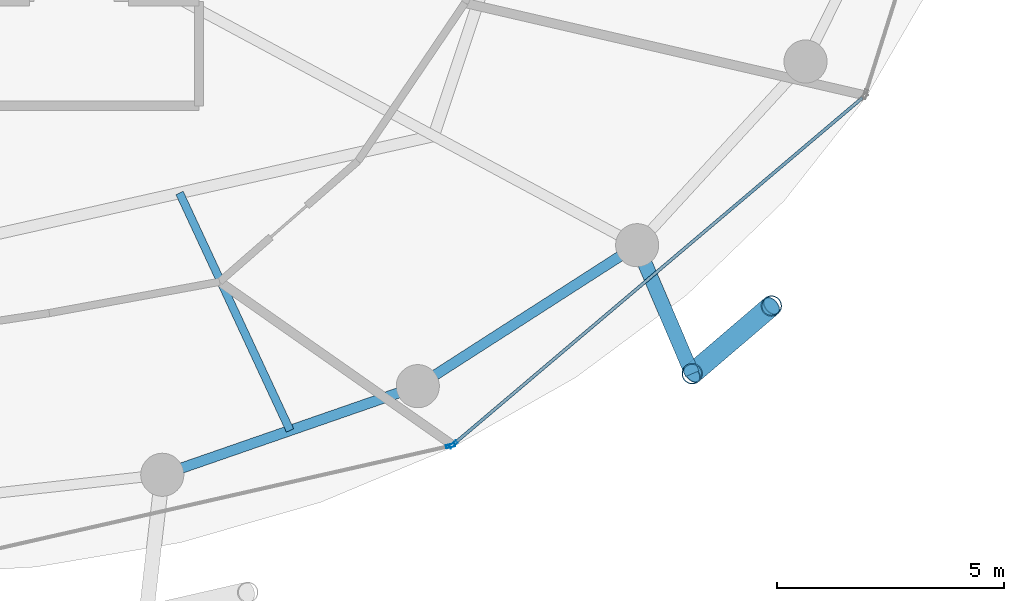
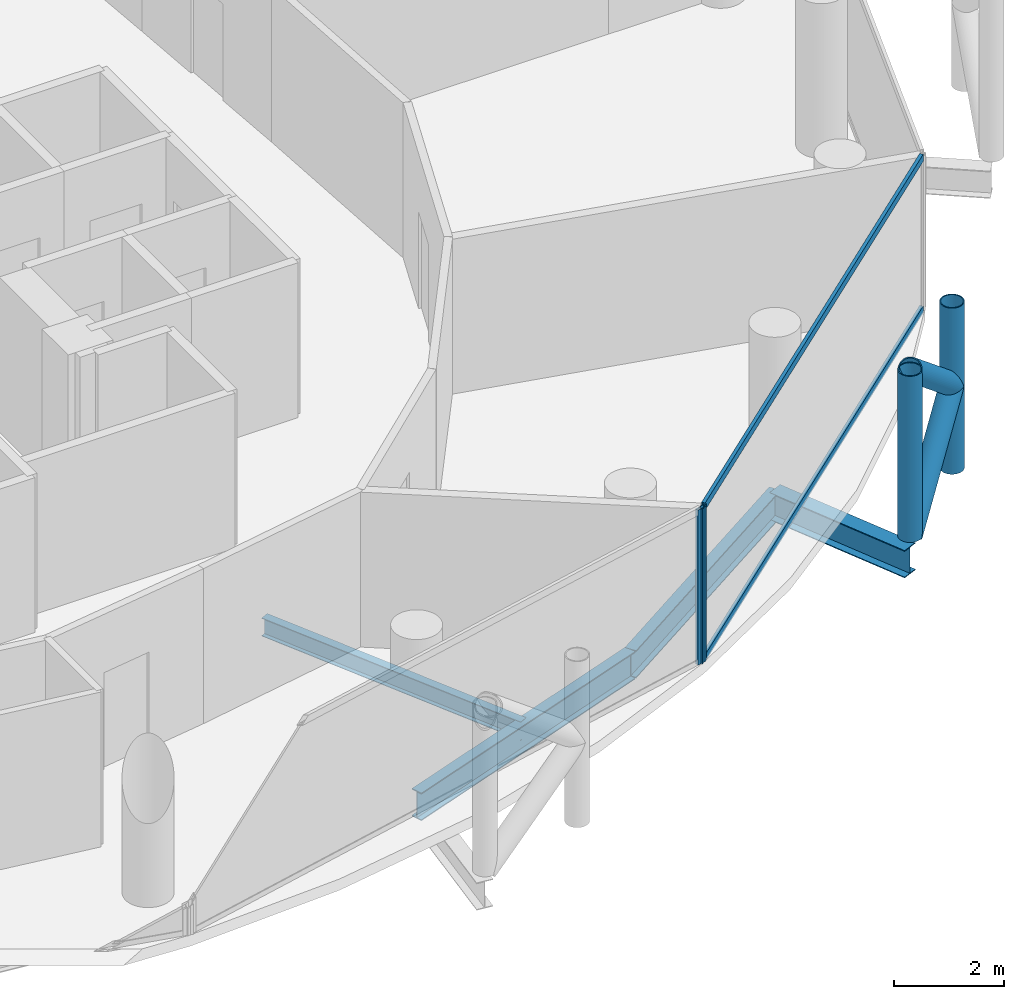
# One storey, part 8 of 27: 8 members, 4 beams, 2 elements without a shape of their own.
"""IFC4 building model written with IfcOpenShell, lengths in metres."""

from ifc_helpers import new_model, si_unit, direction, frame, origin, origin_2d, place, context, subcontext, project, spatial, hollow_rectangle, hollow_circle, i_section, extrude, material, layer, layer_set, material_profile, profile_set, type_object, element, aggregate, save


model = new_model("IFC4")

# Units and contexts
model_context = context("Model", 3, precision=1e-05, world=origin(), true_north=direction((0.0, 1.0)))
body_context = subcontext(model_context, "Body", "Model", "MODEL_VIEW")
ifc_project = project(units=[si_unit("LENGTHUNIT", "METRE"), si_unit("AREAUNIT", "SQUARE_METRE"), si_unit("VOLUMEUNIT", "CUBIC_METRE"), si_unit("PLANEANGLEUNIT", "RADIAN"), si_unit("MASSUNIT", "GRAM", prefix="KILO")], contexts=[model_context])

# Site, building, storey
site_placement = place(None, origin())
site = spatial("IfcSite", under=ifc_project, at=site_placement, CompositionType="ELEMENT")
building_placement = place(site_placement, origin())
building = spatial("IfcBuilding", under=site, at=building_placement, Name="Nuhasar Tower", CompositionType="ELEMENT")
storey_placement = place(building_placement, frame((0.0, 0.0, 158.949951171875)))
storey = spatial("IfcBuildingStorey", under=building, at=storey_placement, Name="L38", CompositionType="ELEMENT", Elevation=158.949951171875)

# Beams
ifc_material_1 = material(Name="Steel S355", Category="steel")
ifc_material_profile_1 = material_profile(ifc_material_1, i_section(OverallWidth=0.177978515625, OverallDepth=0.406005859375, WebThickness=0.0078125, FlangeThickness=0.0126953125, at=origin_2d()), Name="W16X40")
ifc_profile_set_1 = profile_set([ifc_material_profile_1], Name="Steel S355")
beam_type_1 = type_object("IfcBeamType", Name="BM-JST-W16X40", PredefinedType="JOIST", material=ifc_profile_set_1)
beam_1_placement = place(storey_placement, frame((45.424072265625, 14.1279296875, -0.452880859375), z_axis=(0.421729941201, -0.906721487941, 0.0), x_axis=(0.906721487941, 0.421729941201, 0.0)))
element("IfcBeam", 1, at=beam_1_placement, inside=storey, type_object=beam_type_1, Name="L38 Secondary Floor Joist 02", PredefinedType="JOIST", context=body_context, shape_type="SweptSolid", body=[
    extrude(i_section(OverallWidth=0.177978515625, OverallDepth=0.406005859375, WebThickness=0.0078125, FlangeThickness=0.0126953125, at=origin_2d()), origin(), (0.0, 0.0, 1.0), 5.7734375),
])
ifc_material_profile_2 = material_profile(ifc_material_1, i_section(OverallWidth=0.22998046875, OverallDepth=0.616943359375, WebThickness=0.01318359375, FlangeThickness=0.022216796875, at=origin_2d()), Name="W24X94")
ifc_profile_set_2 = profile_set([ifc_material_profile_2], Name="Steel S355")
beam_type_2 = type_object("IfcBeamType", Name="BM-RING-W24X94", PredefinedType="SPANDREL", material=ifc_profile_set_2)
beam_2_placement = place(storey_placement, frame((45.04296875, 7.916015625, -0.558837890625), z_axis=(0.944814057608, 0.327607076458, 0.0), x_axis=(-0.327607076458, 0.944814057608, 0.0)))
element("IfcBeam", 2, at=beam_2_placement, inside=storey, type_object=beam_type_2, Name="L38 Perimeter Ring Spandrel 20", PredefinedType="SPANDREL", context=body_context, shape_type="SweptSolid", body=[
    extrude(i_section(OverallWidth=0.22998046875, OverallDepth=0.616943359375, WebThickness=0.01318359375, FlangeThickness=0.022216796875, at=origin_2d()), origin(), (0.0, 0.0, 1.0), 5.9609375),
])
beam_3_placement = place(storey_placement, frame((50.675048828125, 9.868896484375, -0.558837890625), z_axis=(0.841308170616, 0.540555789955, 0.0), x_axis=(-0.540555789955, 0.841308170616, 0.0)))
element("IfcBeam", 3, at=beam_3_placement, inside=storey, type_object=beam_type_2, Name="L38 Perimeter Ring Spandrel 21", PredefinedType="SPANDREL", context=body_context, shape_type="SweptSolid", body=[
    extrude(i_section(OverallWidth=0.22998046875, OverallDepth=0.616943359375, WebThickness=0.01318359375, FlangeThickness=0.022216796875, at=origin_2d()), origin(), (0.0, 0.0, 1.0), 5.748046875),
])
ifc_material_profile_3 = material_profile(ifc_material_1, i_section(OverallWidth=0.323974609375, OverallDepth=0.611083984375, WebThickness=0.0126953125, FlangeThickness=0.01904296875, at=origin_2d()), Name="W24X104")
ifc_profile_set_3 = profile_set([ifc_material_profile_3], Name="Steel S355")
beam_type_3 = type_object("IfcBeamType", Name="BM-TIE-W24X104", PredefinedType="BEAM", material=ifc_profile_set_3)
beam_4_placement = place(storey_placement, frame((55.510986328125, 12.97607421875, -0.555908203125), z_axis=(0.39330721304, -0.919407111225, 0.0), x_axis=(0.919407111225, 0.39330721304, 0.0)))
element("IfcBeam", 4, at=beam_4_placement, inside=storey, type_object=beam_type_3, Name="L38 Exoskeleton Node Tie Beam 11", PredefinedType="BEAM", context=body_context, shape_type="SweptSolid", body=[
    extrude(i_section(OverallWidth=0.323974609375, OverallDepth=0.611083984375, WebThickness=0.0126953125, FlangeThickness=0.01904296875, at=origin_2d()), origin(), (0.0, 0.0, 1.0), 3.081298828125),
])

# Curtain wall, member
ifc_material_2 = material(Name="Aluminium 6063-T6", Category="aluminium")
ifc_layer = layer(ifc_material_2, 0.199951171875)
ifc_layer_set = layer_set([ifc_layer], Name="Aluminium 6063-T6")
curtain_wall_type = type_object("IfcCurtainWallType", Name="CW-Z2-HTL", PredefinedType="NOTDEFINED", material=ifc_layer_set)
curtain_wall_1_placement = place(storey_placement, origin())
curtain_wall_1 = element("IfcCurtainWall", 5, at=curtain_wall_1_placement, inside=storey, type_object=curtain_wall_type, Name="L38 Unitised Curtain Wall 10", PredefinedType="NOTDEFINED")
ifc_material_profile_4 = material_profile(ifc_material_2, hollow_rectangle(XDim=0.070068359375, YDim=0.199951171875, WallThickness=0.0048828125, at=origin_2d()), Name="CWM-3")
ifc_profile_set_4 = profile_set([ifc_material_profile_4], Name="Aluminium 6063-T6")
member_type_1 = type_object("IfcMemberType", Name="CW-MUL-S3", PredefinedType="MULLION", material=ifc_profile_set_4)
member_1_placement = place(storey_placement, frame((51.395751953125, 8.55419921875, 0.0), z_axis=(0.0, 0.0, 1.0), x_axis=(-0.22139729566, 0.975183694221, 0.0)))
member_1 = element("IfcMember", 6, at=member_1_placement, type_object=member_type_1, Name="CW-Z2 mullion 2", PredefinedType="MULLION", context=body_context, shape_type="SweptSolid", body=[
    extrude(hollow_rectangle(XDim=0.070068359375, YDim=0.199951171875, WallThickness=0.0048828125, at=origin_2d()), origin(), (0.0, 0.0, 1.0), 3.449951171875),
])
aggregate(curtain_wall_1, [member_1])

# Curtain wall, members
curtain_wall_2_placement = place(storey_placement, origin())
curtain_wall_2 = element("IfcCurtainWall", 7, at=curtain_wall_2_placement, inside=storey, type_object=curtain_wall_type, Name="L38 Unitised Curtain Wall 11", PredefinedType="NOTDEFINED")
member_2_placement = place(storey_placement, frame((51.456787109375, 8.584716796875, 0.0), z_axis=(0.0, 0.0, 1.0), x_axis=(-0.646374438324, 0.763020370292, 0.0)))
member_2 = element("IfcMember", 8, at=member_2_placement, type_object=member_type_1, Name="CW-Z2 mullion 1", PredefinedType="MULLION", context=body_context, shape_type="SweptSolid", body=[
    extrude(hollow_rectangle(XDim=0.070068359375, YDim=0.199951171875, WallThickness=0.0048828125, at=origin_2d()), origin(), (0.0, 0.0, 1.0), 3.449951171875),
])
ifc_material_profile_5 = material_profile(ifc_material_2, hollow_rectangle(XDim=0.070068359375, YDim=0.159912109375, WallThickness=0.00439453125, at=origin_2d()), Name="CWT-3")
ifc_profile_set_5 = profile_set([ifc_material_profile_5], Name="Aluminium 6063-T6")
member_type_2 = type_object("IfcMemberType", Name="CW-TRN-S3", PredefinedType="USERDEFINED", material=ifc_profile_set_5)
member_3_placement = place(storey_placement, frame((51.4833984375, 8.607177734375, 0.03515625), z_axis=(0.763013698099, 0.646382314511, 0.0), x_axis=(-0.646382314511, 0.763013698099, 0.0)))
member_3 = element("IfcMember", 9, at=member_3_placement, type_object=member_type_2, Name="CW-Z2 transom 1.1", ObjectType="TRANSOM", PredefinedType="USERDEFINED", context=body_context, shape_type="SweptSolid", body=[
    extrude(hollow_rectangle(XDim=0.070068359375, YDim=0.159912109375, WallThickness=0.00439453125, at=origin_2d()), origin(), (0.0, 0.0, 1.0), 11.78515625),
])
member_4_placement = place(storey_placement, frame((51.4833984375, 8.607177734375, 3.4150390625), z_axis=(0.763013698099, 0.646382314511, 0.0), x_axis=(-0.646382314511, 0.763013698099, 0.0)))
member_4 = element("IfcMember", 10, at=member_4_placement, type_object=member_type_2, Name="CW-Z2 transom 1.2", ObjectType="TRANSOM", PredefinedType="USERDEFINED", context=body_context, shape_type="SweptSolid", body=[
    extrude(hollow_rectangle(XDim=0.070068359375, YDim=0.159912109375, WallThickness=0.00439453125, at=origin_2d()), origin(), (0.0, 0.0, 1.0), 11.78515625),
])
aggregate(curtain_wall_2, [member_2, member_3, member_4])

# Members
ifc_material_3 = material(Name="Steel S460", Category="steel")
ifc_material_profile_6 = material_profile(ifc_material_3, hollow_circle(Radius=0.228515625, WallThickness=0.022216796875, at=origin_2d()), Name="HSS457X22.2")
ifc_profile_set_6 = profile_set([ifc_material_profile_6], Name="Steel S460")
member_type_3 = type_object("IfcMemberType", Name="EXO-BRONZE-457", PredefinedType="BRACE", material=ifc_profile_set_6)
for number, where, z_axis, x_axis, name in (
    (11, (56.722900390625, 10.14306640625, 0.0), (0.0, 0.0, 1.0), (1.0, 0.0, 0.0), "L38 Exoskeleton Chord Column EC-11A"),
    (12, (58.470947265625, 11.637939453125, 0.0), (0.0, 0.0, 1.0), (1.0, 0.0, 0.0), "L38 Exoskeleton Chord Column EC-11B"),
):
    element("IfcMember", number, at=place(storey_placement, frame(where, z_axis=z_axis, x_axis=x_axis)), inside=storey, type_object=member_type_3, Name=name, PredefinedType="BRACE", context=body_context, shape_type="SweptSolid", body=[
        extrude(hollow_circle(Radius=0.228515625, WallThickness=0.022216796875, at=origin_2d()), origin(), (0.0, 0.0, 1.0), 3.699951171875),
    ])
member_5_placement = place(storey_placement, frame((56.722900390625, 10.14306640625, 0.0), z_axis=(0.592195175458, 0.506426125604, 0.626767463634), x_axis=(-0.649925557156, 0.7599978751, 0.0)))
element("IfcMember", 13, at=member_5_placement, inside=storey, type_object=member_type_3, Name="L38 Bronze Diagrid Brace W1-11", PredefinedType="BRACE", context=body_context, shape_type="SweptSolid", body=[
    extrude(hollow_circle(Radius=0.228515625, WallThickness=0.022216796875, at=origin_2d()), origin(), (0.0, 0.0, 1.0), 2.951904296875),
])
member_6_placement = place(storey_placement, frame((58.470947265625, 11.637939453125, 1.85009765625), z_axis=(-0.592225874743, -0.506452378638, 0.626717242029), x_axis=(0.649925557156, -0.7599978751, 0.0)))
element("IfcMember", 14, at=member_6_placement, inside=storey, type_object=member_type_3, Name="L38 Bronze Diagrid Brace W2-11", PredefinedType="BRACE", context=body_context, shape_type="SweptSolid", body=[
    extrude(hollow_circle(Radius=0.228515625, WallThickness=0.022216796875, at=origin_2d()), origin(), (0.0, 0.0, 1.0), 2.95166015625),
])

save(model, "model.ifc")
